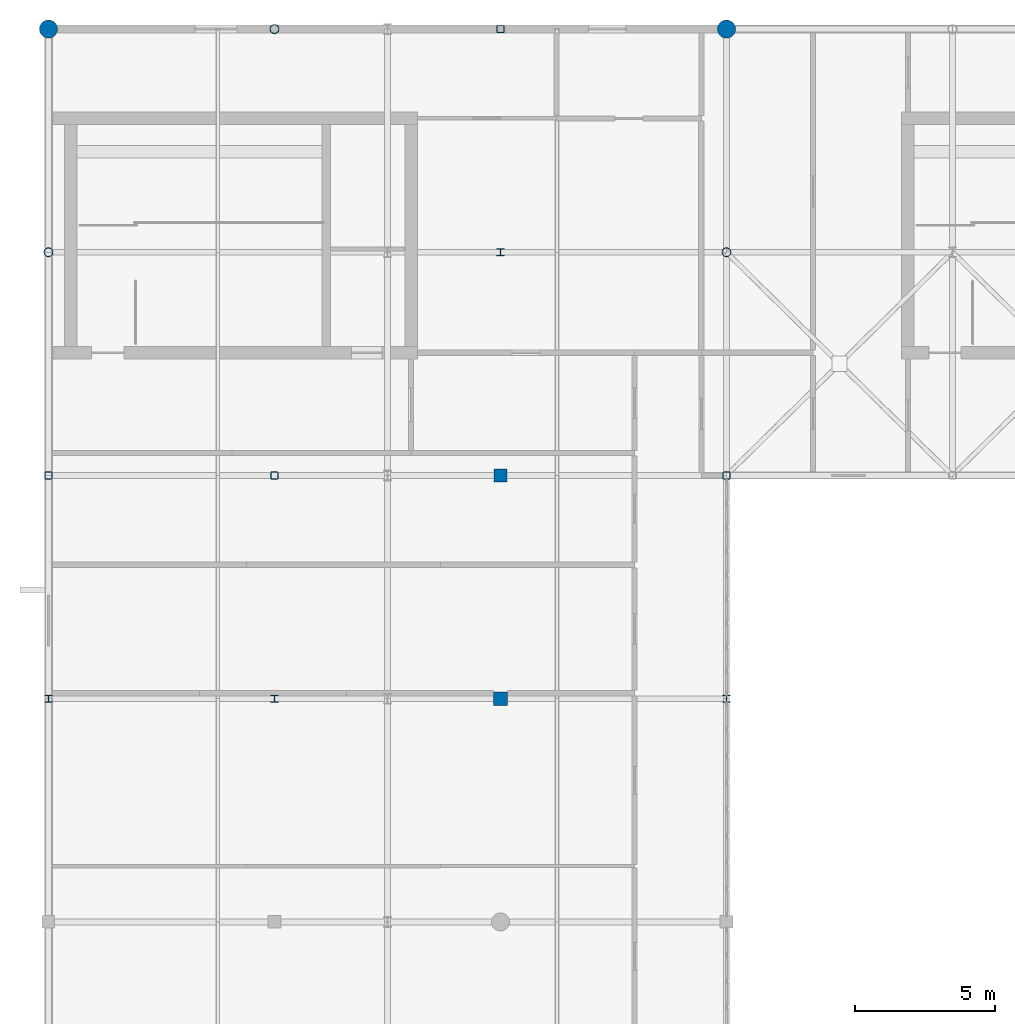
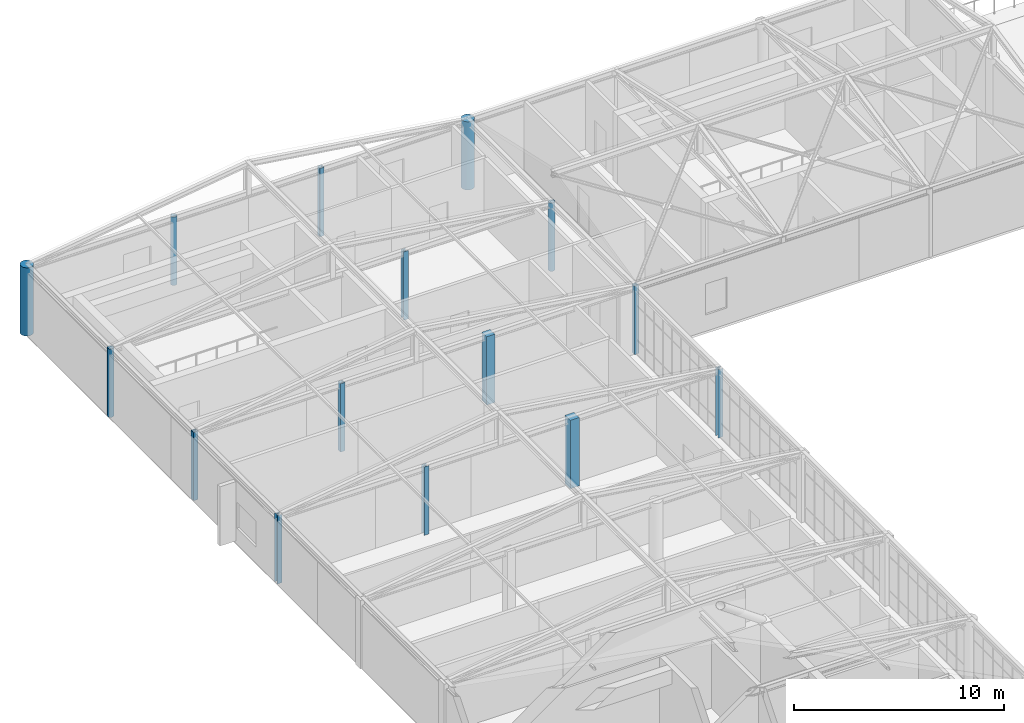
# One storey, part 2 of 21: 15 columns.
"""IFC4 building model written with IfcOpenShell, lengths in metres."""

from ifc_helpers import new_model, si_unit, direction, frame, origin, origin_2d, place, context, subcontext, project, spatial, rectangle, hollow_rectangle, circle, hollow_circle, i_section, extrude, material, material_profile, profile_set, type_object, element, save


model = new_model("IFC4")

# Units and contexts
model_context = context("Model", 3, precision=1e-05, world=origin(), true_north=direction((0.0, 1.0)))
body_context = subcontext(model_context, "Body", "Model", "MODEL_VIEW")
ifc_project = project(units=[si_unit("LENGTHUNIT", "METRE"), si_unit("AREAUNIT", "SQUARE_METRE"), si_unit("VOLUMEUNIT", "CUBIC_METRE"), si_unit("PLANEANGLEUNIT", "RADIAN"), si_unit("MASSUNIT", "GRAM", prefix="KILO")], contexts=[model_context])

# Site, building, storey
site_placement = place(None, origin())
site = spatial("IfcSite", under=ifc_project, at=site_placement, CompositionType="ELEMENT")
building_placement = place(site_placement, origin())
building = spatial("IfcBuilding", under=site, at=building_placement, Name="Tarnveldt Square Police Headquarters", CompositionType="ELEMENT")
storey_placement = place(building_placement, frame((0.0, 0.0, 33.300048828125)))
storey = spatial("IfcBuildingStorey", under=building, at=storey_placement, Name="L07", CompositionType="ELEMENT", Elevation=33.300048828125)

# Columns
ifc_material_1 = material(Name="Steel 350W", Category="steel")
ifc_material_profile_1 = material_profile(ifc_material_1, hollow_circle(Radius=0.161865234375, WallThickness=0.0126953125, at=origin_2d()), Name="HSS324x13")
ifc_profile_set_1 = profile_set([ifc_material_profile_1], Name="Steel 350W")
column_type_1 = type_object("IfcColumnType", Name="COL-CHS324x13", PredefinedType="COLUMN", material=ifc_profile_set_1)
for number, where, z_axis, x_axis, name in (
    (1, (16.199951171875, 104.0, 0.0), (0.0, 0.0, 1.0), (1.0, 0.0, 0.0), "L07 Column 026"),
    (2, (24.300048828125, 112.0, 0.0), (0.0, 0.0, 1.0), (1.0, 0.0, 0.0), "L07 Column 038"),
    (3, (40.5, 104.0, 0.0), (0.0, 0.0, 1.0), (1.0, 0.0, 0.0), "L07 Column 068"),
):
    element("IfcColumn", number, at=place(storey_placement, frame(where, z_axis=z_axis, x_axis=x_axis)), inside=storey, type_object=column_type_1, Name=name, PredefinedType="COLUMN", context=body_context, shape_type="SweptSolid", body=[
        extrude(hollow_circle(Radius=0.161865234375, WallThickness=0.0126953125, at=origin_2d()), origin(), (0.0, 0.0, 1.0), 3.97998046875),
    ])
ifc_material_2 = material(Name="Concrete 40 MPa", Category="concrete")
ifc_material_profile_2 = material_profile(ifc_material_2, circle(Radius=0.324951171875, at=origin_2d()), Name="RC-D650")
ifc_profile_set_2 = profile_set([ifc_material_profile_2], Name="Concrete 40 MPa")
column_type_2 = type_object("IfcColumnType", Name="COL-D650", PredefinedType="COLUMN", material=ifc_profile_set_2)
for number, where, z_axis, x_axis, name in (
    (4, (16.199951171875, 112.0, 0.0), (0.0, 0.0, 1.0), (1.0, 0.0, 0.0), "L07 Column 027"),
    (5, (40.5, 112.0, 0.0), (0.0, 0.0, 1.0), (1.0, 0.0, 0.0), "L07 Column 069"),
):
    element("IfcColumn", number, at=place(storey_placement, frame(where, z_axis=z_axis, x_axis=x_axis)), inside=storey, type_object=column_type_2, Name=name, PredefinedType="COLUMN", context=body_context, shape_type="SweptSolid", body=[
        extrude(circle(Radius=0.324951171875, at=origin_2d()), origin(), (0.0, 0.0, 1.0), 3.97998046875),
    ])
ifc_material_profile_3 = material_profile(ifc_material_1, hollow_rectangle(XDim=0.25390625, YDim=0.25390625, WallThickness=0.0126953125, InnerFilletRadius=0.0126953125, OuterFilletRadius=0.025390625, at=origin_2d()), Name="HSS254x254x13")
ifc_profile_set_3 = profile_set([ifc_material_profile_3], Name="Steel 350W")
column_type_3 = type_object("IfcColumnType", Name="COL-HSS254x13", PredefinedType="COLUMN", material=ifc_profile_set_3)
for number, where, z_axis, x_axis, name in (
    (6, (16.199951171875, 96.0, 0.0), (0.0, 0.0, 1.0), (1.0, 0.0, 0.0), "L07 Column 025"),
    (7, (24.300048828125, 96.0, 0.0), (0.0, 0.0, 1.0), (1.0, 0.0, 0.0), "L07 Column 037"),
    (8, (32.39990234375, 112.0, 0.0), (0.0, 0.0, 1.0), (1.0, 0.0, 0.0), "L07 Column 055"),
    (9, (40.5, 96.0, 0.0), (0.0, 0.0, 1.0), (1.0, 0.0, 0.0), "L07 Column 067"),
):
    element("IfcColumn", number, at=place(storey_placement, frame(where, z_axis=z_axis, x_axis=x_axis)), inside=storey, type_object=column_type_3, Name=name, PredefinedType="COLUMN", context=body_context, shape_type="SweptSolid", body=[
        extrude(hollow_rectangle(XDim=0.25390625, YDim=0.25390625, WallThickness=0.0126953125, InnerFilletRadius=0.0126953125, OuterFilletRadius=0.025390625, at=origin_2d()), origin(), (0.0, 0.0, 1.0), 3.97998046875),
    ])
ifc_material_profile_4 = material_profile(ifc_material_2, rectangle(XDim=0.449951171875, YDim=0.449951171875, at=origin_2d()), Name="RC-C450x450")
ifc_profile_set_4 = profile_set([ifc_material_profile_4], Name="Concrete 40 MPa")
column_type_4 = type_object("IfcColumnType", Name="COL-RC450", PredefinedType="COLUMN", material=ifc_profile_set_4)
column_1_placement = place(storey_placement, frame((32.39990234375, 96.0, 0.0), z_axis=(0.0, 0.0, 1.0), x_axis=(1.0, 0.0, 0.0)))
element("IfcColumn", 10, at=column_1_placement, inside=storey, type_object=column_type_4, Name="L07 Column 053", PredefinedType="COLUMN", context=body_context, shape_type="SweptSolid", body=[
    extrude(rectangle(XDim=0.449951171875, YDim=0.449951171875, at=origin_2d()), origin(), (0.0, 0.0, 1.0), 3.97998046875),
])
ifc_material_profile_5 = material_profile(ifc_material_2, rectangle(XDim=0.5, YDim=0.5, at=origin_2d()), Name="RC-C500x500")
ifc_profile_set_5 = profile_set([ifc_material_profile_5], Name="Concrete 40 MPa")
column_type_5 = type_object("IfcColumnType", Name="COL-RC500", PredefinedType="COLUMN", material=ifc_profile_set_5)
column_2_placement = place(storey_placement, frame((32.39990234375, 88.0, 0.0), z_axis=(0.0, 0.0, 1.0), x_axis=(1.0, 0.0, 0.0)))
element("IfcColumn", 11, at=column_2_placement, inside=storey, type_object=column_type_5, Name="L07 Column 052", PredefinedType="COLUMN", context=body_context, shape_type="SweptSolid", body=[
    extrude(rectangle(XDim=0.5, YDim=0.5, at=origin_2d()), origin(), (0.0, 0.0, 1.0), 3.97998046875),
])
ifc_material_profile_6 = material_profile(ifc_material_1, i_section(OverallWidth=0.256103515625, OverallDepth=0.260009765625, WebThickness=0.0107421875, FlangeThickness=0.017333984375, FilletRadius=0.012939453125, at=origin_2d()), Name="W250x89")
ifc_profile_set_6 = profile_set([ifc_material_profile_6], Name="Steel 350W")
column_type_6 = type_object("IfcColumnType", Name="COL-W250x89", PredefinedType="COLUMN", material=ifc_profile_set_6)
for number, where, z_axis, x_axis, name in (
    (12, (16.199951171875, 88.0, 0.0), (0.0, 0.0, 1.0), (1.0, 0.0, 0.0), "L07 Column 024"),
    (13, (24.300048828125, 88.0, 0.0), (0.0, 0.0, 1.0), (1.0, 0.0, 0.0), "L07 Column 036"),
    (14, (32.39990234375, 104.0, 0.0), (0.0, 0.0, 1.0), (1.0, 0.0, 0.0), "L07 Column 054"),
    (15, (40.5, 88.0, 0.0), (0.0, 0.0, 1.0), (1.0, 0.0, 0.0), "L07 Column 066"),
):
    element("IfcColumn", number, at=place(storey_placement, frame(where, z_axis=z_axis, x_axis=x_axis)), inside=storey, type_object=column_type_6, Name=name, PredefinedType="COLUMN", context=body_context, shape_type="SweptSolid", body=[
        extrude(i_section(OverallWidth=0.256103515625, OverallDepth=0.260009765625, WebThickness=0.0107421875, FlangeThickness=0.017333984375, FilletRadius=0.012939453125, at=origin_2d()), origin(), (0.0, 0.0, 1.0), 3.97998046875),
    ])

save(model, "model.ifc")
